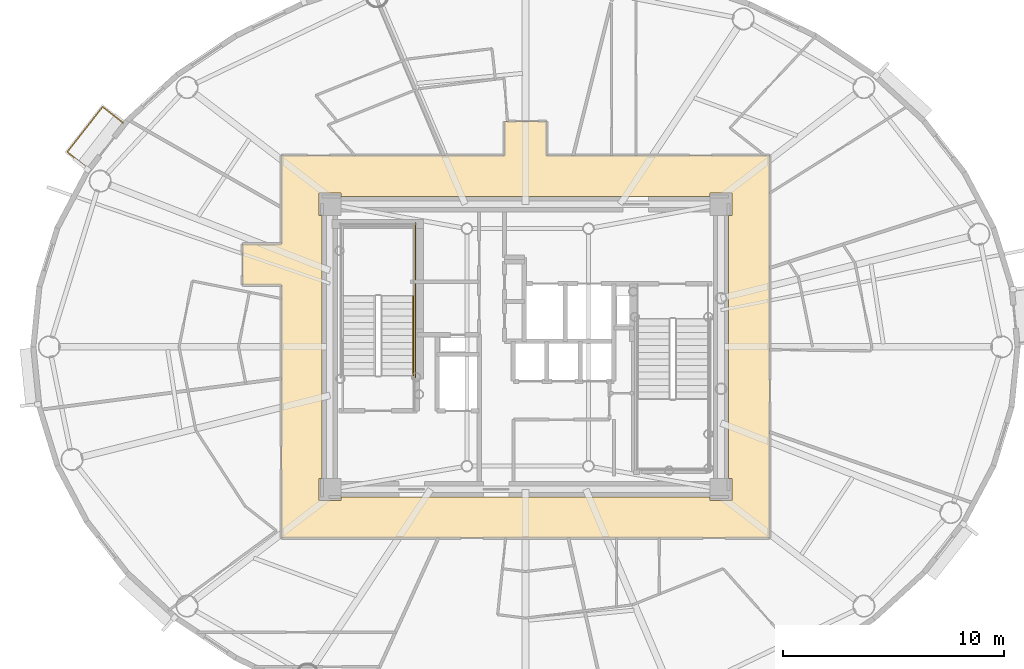
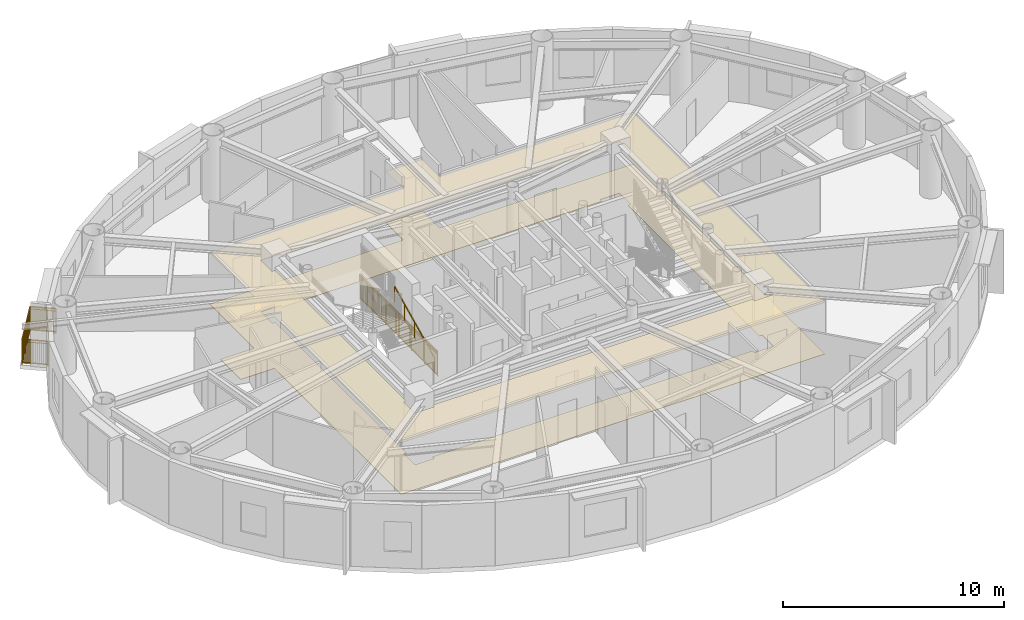
# One storey, part 15 of 17: 3 railings, 2 coverings.
"""IFC4 building model written with IfcOpenShell, lengths in metres."""

from ifc_helpers import new_model, si_unit, direction, frame, origin, origin_2d, place, context, subcontext, project, spatial, polyline, rectangle, outline, extrude, source, transform, mapped, material, layer, layer_set, type_object, element, save


model = new_model("IFC4")

# Units and contexts
model_context = context("Model", 3, precision=1e-05, world=origin(), true_north=direction((0.0, 1.0)))
body_context = subcontext(model_context, "Body", "Model", "MODEL_VIEW")
ifc_project = project(units=[si_unit("LENGTHUNIT", "METRE"), si_unit("AREAUNIT", "SQUARE_METRE"), si_unit("VOLUMEUNIT", "CUBIC_METRE"), si_unit("PLANEANGLEUNIT", "RADIAN"), si_unit("MASSUNIT", "GRAM", prefix="KILO")], contexts=[model_context])

# Site, building, storey
site_placement = place(None, origin())
site = spatial("IfcSite", under=ifc_project, at=site_placement, CompositionType="ELEMENT")
building_placement = place(site_placement, origin())
building = spatial("IfcBuilding", under=site, at=building_placement, Name="Linh Dai School and Residence Tower", CompositionType="ELEMENT")
storey_placement = place(building_placement, frame((0.0, 0.0, 299.25)))
storey = spatial("IfcBuildingStorey", under=building, at=storey_placement, Name="L74", CompositionType="ELEMENT", Elevation=299.25)

# Coverings
ifc_material_1 = material(Name="Mineral Fibre Acoustic Suspended Ceiling", Category="masonry")
ifc_layer_1 = layer(ifc_material_1, 0.02001953125)
ifc_layer_set_1 = layer_set([ifc_layer_1], Name="Mineral Fibre Acoustic Suspended Ceiling")
covering_type_1 = type_object("IfcCoveringType", Name="COV-CEIL-AC-20", PredefinedType="CEILING", material=ifc_layer_set_1)
covering_1_placement = place(storey_placement, frame((0.0, 0.0, 2.85009765625)))
element("IfcCovering", 1, at=covering_1_placement, inside=storey, type_object=covering_type_1, Name="L74 Residential Floor Corridor Suspended Ceiling", PredefinedType="CEILING", context=body_context, shape_type="SweptSolid", body=[
    extrude(outline(polyline([(23.199951171875, 31.64990234375), (24.949951171875, 31.64990234375), (24.949951171875, 35.64990234375), (35.050048828125, 35.64990234375), (35.050048828125, 37.199951171875), (36.949951171875, 37.199951171875), (36.949951171875, 35.64990234375), (47.050048828125, 35.64990234375), (47.050048828125, 18.35009765625), (24.949951171875, 18.35009765625), (24.949951171875, 29.800048828125), (23.199951171875, 29.800048828125), (23.199951171875, 31.64990234375)]), holes=[polyline([(27.64990234375, 33.800048828125), (27.64990234375, 33.949951171875), (26.64990234375, 33.949951171875), (26.64990234375, 32.949951171875), (26.800048828125, 32.949951171875), (26.800048828125, 21.050048828125), (26.64990234375, 21.050048828125), (26.64990234375, 20.050048828125), (27.64990234375, 20.050048828125), (27.64990234375, 20.199951171875), (44.35009765625, 20.199951171875), (44.35009765625, 20.050048828125), (45.35009765625, 20.050048828125), (45.35009765625, 21.050048828125), (45.199951171875, 21.050048828125), (45.199951171875, 32.949951171875), (45.35009765625, 32.949951171875), (45.35009765625, 33.949951171875), (44.35009765625, 33.949951171875), (44.35009765625, 33.800048828125), (27.64990234375, 33.800048828125)])]), origin(), (0.0, 0.0, 1.0), 0.02001953125),
])
ifc_material_2 = material(Name="Polished Terrazzo Floor Finish", Category="masonry")
ifc_layer_2 = layer(ifc_material_2, 0.02490234375)
ifc_layer_set_2 = layer_set([ifc_layer_2], Name="Polished Terrazzo Floor Finish")
covering_type_2 = type_object("IfcCoveringType", Name="COV-FLR-TRZ-25", PredefinedType="FLOORING", material=ifc_layer_set_2)
covering_2_placement = place(storey_placement, origin())
element("IfcCovering", 2, at=covering_2_placement, inside=storey, type_object=covering_type_2, Name="L74 Residential Floor Corridor Floor Finish", PredefinedType="FLOORING", context=body_context, shape_type="SweptSolid", body=[
    extrude(outline(polyline([(23.199951171875, 31.64990234375), (24.949951171875, 31.64990234375), (24.949951171875, 35.64990234375), (35.050048828125, 35.64990234375), (35.050048828125, 37.199951171875), (36.949951171875, 37.199951171875), (36.949951171875, 35.64990234375), (47.050048828125, 35.64990234375), (47.050048828125, 18.35009765625), (24.949951171875, 18.35009765625), (24.949951171875, 29.800048828125), (23.199951171875, 29.800048828125), (23.199951171875, 31.64990234375)]), holes=[polyline([(27.64990234375, 33.800048828125), (27.64990234375, 33.949951171875), (26.64990234375, 33.949951171875), (26.64990234375, 32.949951171875), (26.800048828125, 32.949951171875), (26.800048828125, 21.050048828125), (26.64990234375, 21.050048828125), (26.64990234375, 20.050048828125), (27.64990234375, 20.050048828125), (27.64990234375, 20.199951171875), (44.35009765625, 20.199951171875), (44.35009765625, 20.050048828125), (45.35009765625, 20.050048828125), (45.35009765625, 21.050048828125), (45.199951171875, 21.050048828125), (45.199951171875, 32.949951171875), (45.35009765625, 32.949951171875), (45.35009765625, 33.949951171875), (44.35009765625, 33.949951171875), (44.35009765625, 33.800048828125), (27.64990234375, 33.800048828125)])]), origin(), (0.0, 0.0, 1.0), 0.02001953125),
])

# Railings
ifc_material_3 = material(Name="Structural Steel S355JR", Category="steel")
railing_type_1 = type_object("IfcRailingType", Name="RL-BAL-1400", PredefinedType="BALUSTRADE", material=ifc_material_3)
shared_shape_1 = source(origin(), body_context, "Body", "SweptSolid", [
    extrude(rectangle(XDim=0.048095703125, YDim=0.048095703125, at=origin_2d()), frame((0.0, 0.0, 1.3759765625), z_axis=(-0.787465705171, 0.616358469707, 0.0), x_axis=(-0.616358469707, -0.787465705171, 0.0)), (0.0, 0.0, 1.0), 1.179931640625),
    extrude(rectangle(XDim=0.048095703125, YDim=0.048095703125, at=origin_2d()), frame((0.0, 0.0, 0.10009765625), z_axis=(-0.787465705171, 0.616358469707, 0.0), x_axis=(-0.616358469707, -0.787465705171, 0.0)), (0.0, 0.0, 1.0), 1.179931640625),
    extrude(rectangle(XDim=0.030029296875, YDim=0.030029296875, at=origin_2d()), frame((0.0, 0.0, 1.239990234375), z_axis=(-0.787465705171, 0.616358469707, 0.0), x_axis=(-0.616358469707, -0.787465705171, 0.0)), (0.0, 0.0, 1.0), 1.179931640625),
    extrude(rectangle(XDim=0.02001953125, YDim=0.02001953125, at=origin_2d()), frame((-0.071533203125, 0.055908203125, 0.10009765625)), (0.0, 0.0, 1.0), 1.251708984375),
    extrude(rectangle(XDim=0.02001953125, YDim=0.02001953125, at=origin_2d()), frame((-0.14306640625, 0.11181640625, 0.10009765625)), (0.0, 0.0, 1.0), 1.251708984375),
    extrude(rectangle(XDim=0.02001953125, YDim=0.02001953125, at=origin_2d()), frame((-0.21435546875, 0.167724609375, 0.10009765625)), (0.0, 0.0, 1.0), 1.251708984375),
    extrude(rectangle(XDim=0.02001953125, YDim=0.02001953125, at=origin_2d()), frame((-0.285888671875, 0.223876953125, 0.10009765625)), (0.0, 0.0, 1.0), 1.251708984375),
    extrude(rectangle(XDim=0.02001953125, YDim=0.02001953125, at=origin_2d()), frame((-0.357421875, 0.27978515625, 0.10009765625)), (0.0, 0.0, 1.0), 1.251708984375),
    extrude(rectangle(XDim=0.02001953125, YDim=0.02001953125, at=origin_2d()), frame((-0.428955078125, 0.335693359375, 0.10009765625)), (0.0, 0.0, 1.0), 1.251708984375),
    extrude(rectangle(XDim=0.02001953125, YDim=0.02001953125, at=origin_2d()), frame((-0.500244140625, 0.3916015625, 0.10009765625)), (0.0, 0.0, 1.0), 1.251708984375),
    extrude(rectangle(XDim=0.02001953125, YDim=0.02001953125, at=origin_2d()), frame((-0.57177734375, 0.447509765625, 0.10009765625)), (0.0, 0.0, 1.0), 1.251708984375),
    extrude(rectangle(XDim=0.02001953125, YDim=0.02001953125, at=origin_2d()), frame((-0.643310546875, 0.50341796875, 0.10009765625)), (0.0, 0.0, 1.0), 1.251708984375),
    extrude(rectangle(XDim=0.02001953125, YDim=0.02001953125, at=origin_2d()), frame((-0.71484375, 0.5595703125, 0.10009765625)), (0.0, 0.0, 1.0), 1.251708984375),
    extrude(rectangle(XDim=0.02001953125, YDim=0.02001953125, at=origin_2d()), frame((-0.7861328125, 0.615478515625, 0.10009765625)), (0.0, 0.0, 1.0), 1.251708984375),
    extrude(rectangle(XDim=0.02001953125, YDim=0.02001953125, at=origin_2d()), frame((-0.857666015625, 0.67138671875, 0.10009765625)), (0.0, 0.0, 1.0), 1.251708984375),
    extrude(rectangle(XDim=0.048095703125, YDim=0.048095703125, at=origin_2d()), frame((-0.92919921875, 0.727294921875, 1.3759765625), z_axis=(0.616318394655, 0.787497070731, 0.0), x_axis=(-0.787497070731, 0.616318394655, 0.0)), (0.0, 0.0, 1.0), 2.5986328125),
    extrude(rectangle(XDim=0.048095703125, YDim=0.048095703125, at=origin_2d()), frame((-0.92919921875, 0.727294921875, 0.10009765625), z_axis=(0.616318394655, 0.787497070731, 0.0), x_axis=(-0.787497070731, 0.616318394655, 0.0)), (0.0, 0.0, 1.0), 2.5986328125),
    extrude(rectangle(XDim=0.030029296875, YDim=0.030029296875, at=origin_2d()), frame((-0.92919921875, 0.727294921875, 1.239990234375), z_axis=(0.616318394655, 0.787497070731, 0.0), x_axis=(-0.787497070731, 0.616318394655, 0.0)), (0.0, 0.0, 1.0), 2.5986328125),
    extrude(rectangle(XDim=0.02001953125, YDim=0.02001953125, at=origin_2d()), frame((-0.869873046875, 0.802978515625, 0.10009765625)), (0.0, 0.0, 1.0), 1.251708984375),
    extrude(rectangle(XDim=0.02001953125, YDim=0.02001953125, at=origin_2d()), frame((-0.810546875, 0.87890625, 0.10009765625)), (0.0, 0.0, 1.0), 1.251708984375),
    extrude(rectangle(XDim=0.02001953125, YDim=0.02001953125, at=origin_2d()), frame((-0.751220703125, 0.95458984375, 0.10009765625)), (0.0, 0.0, 1.0), 1.251708984375),
    extrude(rectangle(XDim=0.02001953125, YDim=0.02001953125, at=origin_2d()), frame((-0.69189453125, 1.030517578125, 0.10009765625)), (0.0, 0.0, 1.0), 1.251708984375),
    extrude(rectangle(XDim=0.02001953125, YDim=0.02001953125, at=origin_2d()), frame((-0.632568359375, 1.106201171875, 0.10009765625)), (0.0, 0.0, 1.0), 1.251708984375),
    extrude(rectangle(XDim=0.02001953125, YDim=0.02001953125, at=origin_2d()), frame((-0.5732421875, 1.18212890625, 0.10009765625)), (0.0, 0.0, 1.0), 1.251708984375),
    extrude(rectangle(XDim=0.02001953125, YDim=0.02001953125, at=origin_2d()), frame((-0.513916015625, 1.2578125, 0.10009765625)), (0.0, 0.0, 1.0), 1.251708984375),
    extrude(rectangle(XDim=0.02001953125, YDim=0.02001953125, at=origin_2d()), frame((-0.45458984375, 1.333740234375, 0.10009765625)), (0.0, 0.0, 1.0), 1.251708984375),
    extrude(rectangle(XDim=0.02001953125, YDim=0.02001953125, at=origin_2d()), frame((-0.3359375, 1.485107421875, 0.10009765625)), (0.0, 0.0, 1.0), 1.251708984375),
    extrude(rectangle(XDim=0.02001953125, YDim=0.02001953125, at=origin_2d()), frame((-0.276611328125, 1.56103515625, 0.10009765625)), (0.0, 0.0, 1.0), 1.251708984375),
    extrude(rectangle(XDim=0.02001953125, YDim=0.02001953125, at=origin_2d()), frame((-0.21728515625, 1.63671875, 0.10009765625)), (0.0, 0.0, 1.0), 1.251708984375),
    extrude(rectangle(XDim=0.02001953125, YDim=0.02001953125, at=origin_2d()), frame((-0.157958984375, 1.712646484375, 0.10009765625)), (0.0, 0.0, 1.0), 1.251708984375),
    extrude(rectangle(XDim=0.02001953125, YDim=0.02001953125, at=origin_2d()), frame((-0.098876953125, 1.788330078125, 0.10009765625)), (0.0, 0.0, 1.0), 1.251708984375),
    extrude(rectangle(XDim=0.02001953125, YDim=0.02001953125, at=origin_2d()), frame((-0.03955078125, 1.8642578125, 0.10009765625)), (0.0, 0.0, 1.0), 1.251708984375),
    extrude(rectangle(XDim=0.02001953125, YDim=0.02001953125, at=origin_2d()), frame((0.019775390625, 1.93994140625, 0.10009765625)), (0.0, 0.0, 1.0), 1.251708984375),
    extrude(rectangle(XDim=0.02001953125, YDim=0.02001953125, at=origin_2d()), frame((0.0791015625, 2.015869140625, 0.10009765625)), (0.0, 0.0, 1.0), 1.251708984375),
    extrude(rectangle(XDim=0.02001953125, YDim=0.02001953125, at=origin_2d()), frame((0.19775390625, 2.167236328125, 0.10009765625)), (0.0, 0.0, 1.0), 1.251708984375),
    extrude(rectangle(XDim=0.02001953125, YDim=0.02001953125, at=origin_2d()), frame((0.257080078125, 2.2431640625, 0.10009765625)), (0.0, 0.0, 1.0), 1.251708984375),
    extrude(rectangle(XDim=0.02001953125, YDim=0.02001953125, at=origin_2d()), frame((0.31640625, 2.31884765625, 0.10009765625)), (0.0, 0.0, 1.0), 1.251708984375),
    extrude(rectangle(XDim=0.02001953125, YDim=0.02001953125, at=origin_2d()), frame((0.375732421875, 2.394775390625, 0.10009765625)), (0.0, 0.0, 1.0), 1.251708984375),
    extrude(rectangle(XDim=0.02001953125, YDim=0.02001953125, at=origin_2d()), frame((0.43505859375, 2.470458984375, 0.10009765625)), (0.0, 0.0, 1.0), 1.251708984375),
    extrude(rectangle(XDim=0.02001953125, YDim=0.02001953125, at=origin_2d()), frame((0.494384765625, 2.54638671875, 0.10009765625)), (0.0, 0.0, 1.0), 1.251708984375),
    extrude(rectangle(XDim=0.02001953125, YDim=0.02001953125, at=origin_2d()), frame((0.5537109375, 2.6220703125, 0.10009765625)), (0.0, 0.0, 1.0), 1.251708984375),
    extrude(rectangle(XDim=0.02001953125, YDim=0.02001953125, at=origin_2d()), frame((0.613037109375, 2.697998046875, 0.10009765625)), (0.0, 0.0, 1.0), 1.251708984375),
    extrude(rectangle(XDim=0.048095703125, YDim=0.048095703125, at=origin_2d()), frame((0.67236328125, 2.773681640625, 1.3759765625), z_axis=(0.787465705171, -0.616358469707, 0.0), x_axis=(0.616358469707, 0.787465705171, 0.0)), (0.0, 0.0, 1.0), 1.179931640625),
    extrude(rectangle(XDim=0.048095703125, YDim=0.048095703125, at=origin_2d()), frame((0.67236328125, 2.773681640625, 0.10009765625), z_axis=(0.787465705171, -0.616358469707, 0.0), x_axis=(0.616358469707, 0.787465705171, 0.0)), (0.0, 0.0, 1.0), 1.179931640625),
    extrude(rectangle(XDim=0.030029296875, YDim=0.030029296875, at=origin_2d()), frame((0.67236328125, 2.773681640625, 1.239990234375), z_axis=(0.787465705171, -0.616358469707, 0.0), x_axis=(0.616358469707, 0.787465705171, 0.0)), (0.0, 0.0, 1.0), 1.179931640625),
    extrude(rectangle(XDim=0.02001953125, YDim=0.02001953125, at=origin_2d()), frame((0.743896484375, 2.7177734375, 0.10009765625)), (0.0, 0.0, 1.0), 1.251708984375),
    extrude(rectangle(XDim=0.02001953125, YDim=0.02001953125, at=origin_2d()), frame((0.8154296875, 2.661865234375, 0.10009765625)), (0.0, 0.0, 1.0), 1.251708984375),
    extrude(rectangle(XDim=0.02001953125, YDim=0.02001953125, at=origin_2d()), frame((0.88671875, 2.60595703125, 0.10009765625)), (0.0, 0.0, 1.0), 1.251708984375),
    extrude(rectangle(XDim=0.02001953125, YDim=0.02001953125, at=origin_2d()), frame((0.958251953125, 2.5498046875, 0.10009765625)), (0.0, 0.0, 1.0), 1.251708984375),
    extrude(rectangle(XDim=0.02001953125, YDim=0.02001953125, at=origin_2d()), frame((1.02978515625, 2.493896484375, 0.10009765625)), (0.0, 0.0, 1.0), 1.251708984375),
    extrude(rectangle(XDim=0.02001953125, YDim=0.02001953125, at=origin_2d()), frame((1.101318359375, 2.43798828125, 0.10009765625)), (0.0, 0.0, 1.0), 1.251708984375),
    extrude(rectangle(XDim=0.02001953125, YDim=0.02001953125, at=origin_2d()), frame((1.172607421875, 2.382080078125, 0.10009765625)), (0.0, 0.0, 1.0), 1.251708984375),
    extrude(rectangle(XDim=0.02001953125, YDim=0.02001953125, at=origin_2d()), frame((1.244140625, 2.326171875, 0.10009765625)), (0.0, 0.0, 1.0), 1.251708984375),
    extrude(rectangle(XDim=0.02001953125, YDim=0.02001953125, at=origin_2d()), frame((1.315673828125, 2.270263671875, 0.10009765625)), (0.0, 0.0, 1.0), 1.251708984375),
    extrude(rectangle(XDim=0.02001953125, YDim=0.02001953125, at=origin_2d()), frame((1.38720703125, 2.214111328125, 0.10009765625)), (0.0, 0.0, 1.0), 1.251708984375),
    extrude(rectangle(XDim=0.02001953125, YDim=0.02001953125, at=origin_2d()), frame((1.45849609375, 2.158203125, 0.10009765625)), (0.0, 0.0, 1.0), 1.251708984375),
    extrude(rectangle(XDim=0.02001953125, YDim=0.02001953125, at=origin_2d()), frame((1.530029296875, 2.102294921875, 0.10009765625)), (0.0, 0.0, 1.0), 1.251708984375),
    extrude(rectangle(XDim=0.0419921875, YDim=0.0419921875, at=origin_2d()), origin(), (0.0, 0.0, 1.0), 1.3759765625),
    extrude(rectangle(XDim=0.0419921875, YDim=0.0419921875, at=origin_2d()), frame((-0.92919921875, 0.727294921875, 0.0)), (0.0, 0.0, 1.0), 1.3759765625),
    extrude(rectangle(XDim=0.0419921875, YDim=0.0419921875, at=origin_2d()), frame((-0.395263671875, 1.409423828125, 0.0)), (0.0, 0.0, 1.0), 1.3759765625),
    extrude(rectangle(XDim=0.0419921875, YDim=0.0419921875, at=origin_2d()), frame((0.138427734375, 2.091552734375, 0.0)), (0.0, 0.0, 1.0), 1.3759765625),
    extrude(rectangle(XDim=0.0419921875, YDim=0.0419921875, at=origin_2d()), frame((0.67236328125, 2.773681640625, 0.0)), (0.0, 0.0, 1.0), 1.3759765625),
    extrude(rectangle(XDim=0.0419921875, YDim=0.0419921875, at=origin_2d()), frame((1.6015625, 2.04638671875, 0.0)), (0.0, 0.0, 1.0), 1.3759765625),
])
railing_1_placement = place(storey_placement, frame((16.190185546875, 35.0888671875, 0.0)))
element("IfcRailing", 3, at=railing_1_placement, inside=storey, type_object=railing_type_1, Name="L74 Balcony Safety Balustrade 17", PredefinedType="BALUSTRADE", context=body_context, shape_type="MappedRepresentation", body=[
    mapped(shared_shape_1, transform((0.0, 0.0, 0.0), x_axis=(1.0, 0.0, 0.0), y_axis=(0.0, 1.0, 0.0), z_axis=(0.0, 0.0, 1.0), scale=1.0)),
])
railing_type_2 = type_object("IfcRailingType", Name="RL-ST-GUARD-1400", PredefinedType="GUARDRAIL", material=ifc_material_3)
shared_shape_2 = source(origin(), body_context, "Body", "SweptSolid", [
    extrude(rectangle(XDim=0.048095703125, YDim=0.048095703125, at=origin_2d()), frame((0.0, 0.0, 1.3759765625), z_axis=(0.0, 1.0, 0.0), x_axis=(-1.0, 0.0, 0.0)), (0.0, 0.0, 1.0), 7.0),
    extrude(rectangle(XDim=0.048095703125, YDim=0.048095703125, at=origin_2d()), frame((0.0, 0.0, 0.10009765625), z_axis=(0.0, 1.0, 0.0), x_axis=(-1.0, 0.0, 0.0)), (0.0, 0.0, 1.0), 7.0),
    extrude(rectangle(XDim=0.030029296875, YDim=0.030029296875, at=origin_2d()), frame((0.0, 0.0, 1.239990234375), z_axis=(0.0, 1.0, 0.0), x_axis=(-1.0, 0.0, 0.0)), (0.0, 0.0, 1.0), 7.0),
    extrude(rectangle(XDim=0.02001953125, YDim=0.02001953125, at=origin_2d()), frame((0.0, 0.09716796875, 0.10009765625)), (0.0, 0.0, 1.0), 1.251708984375),
    extrude(rectangle(XDim=0.02001953125, YDim=0.02001953125, at=origin_2d()), frame((0.0, 0.1943359375, 0.10009765625)), (0.0, 0.0, 1.0), 1.251708984375),
    extrude(rectangle(XDim=0.02001953125, YDim=0.02001953125, at=origin_2d()), frame((0.0, 0.291748046875, 0.10009765625)), (0.0, 0.0, 1.0), 1.251708984375),
    extrude(rectangle(XDim=0.02001953125, YDim=0.02001953125, at=origin_2d()), frame((0.0, 0.388916015625, 0.10009765625)), (0.0, 0.0, 1.0), 1.251708984375),
    extrude(rectangle(XDim=0.02001953125, YDim=0.02001953125, at=origin_2d()), frame((0.0, 0.486083984375, 0.10009765625)), (0.0, 0.0, 1.0), 1.251708984375),
    extrude(rectangle(XDim=0.02001953125, YDim=0.02001953125, at=origin_2d()), frame((0.0, 0.583251953125, 0.10009765625)), (0.0, 0.0, 1.0), 1.251708984375),
    extrude(rectangle(XDim=0.02001953125, YDim=0.02001953125, at=origin_2d()), frame((0.0, 0.6806640625, 0.10009765625)), (0.0, 0.0, 1.0), 1.251708984375),
    extrude(rectangle(XDim=0.02001953125, YDim=0.02001953125, at=origin_2d()), frame((0.0, 0.77783203125, 0.10009765625)), (0.0, 0.0, 1.0), 1.251708984375),
    extrude(rectangle(XDim=0.02001953125, YDim=0.02001953125, at=origin_2d()), frame((0.0, 0.875, 0.10009765625)), (0.0, 0.0, 1.0), 1.251708984375),
    extrude(rectangle(XDim=0.02001953125, YDim=0.02001953125, at=origin_2d()), frame((0.0, 0.97216796875, 0.10009765625)), (0.0, 0.0, 1.0), 1.251708984375),
    extrude(rectangle(XDim=0.02001953125, YDim=0.02001953125, at=origin_2d()), frame((0.0, 1.0693359375, 0.10009765625)), (0.0, 0.0, 1.0), 1.251708984375),
    extrude(rectangle(XDim=0.02001953125, YDim=0.02001953125, at=origin_2d()), frame((0.0, 1.263916015625, 0.10009765625)), (0.0, 0.0, 1.0), 1.251708984375),
    extrude(rectangle(XDim=0.02001953125, YDim=0.02001953125, at=origin_2d()), frame((0.0, 1.361083984375, 0.10009765625)), (0.0, 0.0, 1.0), 1.251708984375),
    extrude(rectangle(XDim=0.02001953125, YDim=0.02001953125, at=origin_2d()), frame((0.0, 1.458251953125, 0.10009765625)), (0.0, 0.0, 1.0), 1.251708984375),
    extrude(rectangle(XDim=0.02001953125, YDim=0.02001953125, at=origin_2d()), frame((0.0, 1.5556640625, 0.10009765625)), (0.0, 0.0, 1.0), 1.251708984375),
    extrude(rectangle(XDim=0.02001953125, YDim=0.02001953125, at=origin_2d()), frame((0.0, 1.65283203125, 0.10009765625)), (0.0, 0.0, 1.0), 1.251708984375),
    extrude(rectangle(XDim=0.02001953125, YDim=0.02001953125, at=origin_2d()), frame((0.0, 1.75, 0.10009765625)), (0.0, 0.0, 1.0), 1.251708984375),
    extrude(rectangle(XDim=0.02001953125, YDim=0.02001953125, at=origin_2d()), frame((0.0, 1.84716796875, 0.10009765625)), (0.0, 0.0, 1.0), 1.251708984375),
    extrude(rectangle(XDim=0.02001953125, YDim=0.02001953125, at=origin_2d()), frame((0.0, 1.9443359375, 0.10009765625)), (0.0, 0.0, 1.0), 1.251708984375),
    extrude(rectangle(XDim=0.02001953125, YDim=0.02001953125, at=origin_2d()), frame((0.0, 2.041748046875, 0.10009765625)), (0.0, 0.0, 1.0), 1.251708984375),
    extrude(rectangle(XDim=0.02001953125, YDim=0.02001953125, at=origin_2d()), frame((0.0, 2.138916015625, 0.10009765625)), (0.0, 0.0, 1.0), 1.251708984375),
    extrude(rectangle(XDim=0.02001953125, YDim=0.02001953125, at=origin_2d()), frame((0.0, 2.236083984375, 0.10009765625)), (0.0, 0.0, 1.0), 1.251708984375),
    extrude(rectangle(XDim=0.02001953125, YDim=0.02001953125, at=origin_2d()), frame((0.0, 2.4306640625, 0.10009765625)), (0.0, 0.0, 1.0), 1.251708984375),
    extrude(rectangle(XDim=0.02001953125, YDim=0.02001953125, at=origin_2d()), frame((0.0, 2.52783203125, 0.10009765625)), (0.0, 0.0, 1.0), 1.251708984375),
    extrude(rectangle(XDim=0.02001953125, YDim=0.02001953125, at=origin_2d()), frame((0.0, 2.625, 0.10009765625)), (0.0, 0.0, 1.0), 1.251708984375),
    extrude(rectangle(XDim=0.02001953125, YDim=0.02001953125, at=origin_2d()), frame((0.0, 2.72216796875, 0.10009765625)), (0.0, 0.0, 1.0), 1.251708984375),
    extrude(rectangle(XDim=0.02001953125, YDim=0.02001953125, at=origin_2d()), frame((0.0, 2.8193359375, 0.10009765625)), (0.0, 0.0, 1.0), 1.251708984375),
    extrude(rectangle(XDim=0.02001953125, YDim=0.02001953125, at=origin_2d()), frame((0.0, 2.916748046875, 0.10009765625)), (0.0, 0.0, 1.0), 1.251708984375),
    extrude(rectangle(XDim=0.02001953125, YDim=0.02001953125, at=origin_2d()), frame((0.0, 3.013916015625, 0.10009765625)), (0.0, 0.0, 1.0), 1.251708984375),
    extrude(rectangle(XDim=0.02001953125, YDim=0.02001953125, at=origin_2d()), frame((0.0, 3.111083984375, 0.10009765625)), (0.0, 0.0, 1.0), 1.251708984375),
    extrude(rectangle(XDim=0.02001953125, YDim=0.02001953125, at=origin_2d()), frame((0.0, 3.208251953125, 0.10009765625)), (0.0, 0.0, 1.0), 1.251708984375),
    extrude(rectangle(XDim=0.02001953125, YDim=0.02001953125, at=origin_2d()), frame((0.0, 3.3056640625, 0.10009765625)), (0.0, 0.0, 1.0), 1.251708984375),
    extrude(rectangle(XDim=0.02001953125, YDim=0.02001953125, at=origin_2d()), frame((0.0, 3.40283203125, 0.10009765625)), (0.0, 0.0, 1.0), 1.251708984375),
    extrude(rectangle(XDim=0.02001953125, YDim=0.02001953125, at=origin_2d()), frame((0.0, 3.59716796875, 0.10009765625)), (0.0, 0.0, 1.0), 1.251708984375),
    extrude(rectangle(XDim=0.02001953125, YDim=0.02001953125, at=origin_2d()), frame((0.0, 3.6943359375, 0.10009765625)), (0.0, 0.0, 1.0), 1.251708984375),
    extrude(rectangle(XDim=0.02001953125, YDim=0.02001953125, at=origin_2d()), frame((0.0, 3.791748046875, 0.10009765625)), (0.0, 0.0, 1.0), 1.251708984375),
    extrude(rectangle(XDim=0.02001953125, YDim=0.02001953125, at=origin_2d()), frame((0.0, 3.888916015625, 0.10009765625)), (0.0, 0.0, 1.0), 1.251708984375),
    extrude(rectangle(XDim=0.02001953125, YDim=0.02001953125, at=origin_2d()), frame((0.0, 3.986083984375, 0.10009765625)), (0.0, 0.0, 1.0), 1.251708984375),
    extrude(rectangle(XDim=0.02001953125, YDim=0.02001953125, at=origin_2d()), frame((0.0, 4.083251953125, 0.10009765625)), (0.0, 0.0, 1.0), 1.251708984375),
    extrude(rectangle(XDim=0.02001953125, YDim=0.02001953125, at=origin_2d()), frame((0.0, 4.1806640625, 0.10009765625)), (0.0, 0.0, 1.0), 1.251708984375),
    extrude(rectangle(XDim=0.02001953125, YDim=0.02001953125, at=origin_2d()), frame((0.0, 4.27783203125, 0.10009765625)), (0.0, 0.0, 1.0), 1.251708984375),
    extrude(rectangle(XDim=0.02001953125, YDim=0.02001953125, at=origin_2d()), frame((0.0, 4.375, 0.10009765625)), (0.0, 0.0, 1.0), 1.251708984375),
    extrude(rectangle(XDim=0.02001953125, YDim=0.02001953125, at=origin_2d()), frame((0.0, 4.47216796875, 0.10009765625)), (0.0, 0.0, 1.0), 1.251708984375),
    extrude(rectangle(XDim=0.02001953125, YDim=0.02001953125, at=origin_2d()), frame((0.0, 4.5693359375, 0.10009765625)), (0.0, 0.0, 1.0), 1.251708984375),
    extrude(rectangle(XDim=0.02001953125, YDim=0.02001953125, at=origin_2d()), frame((0.0, 4.763916015625, 0.10009765625)), (0.0, 0.0, 1.0), 1.251708984375),
    extrude(rectangle(XDim=0.02001953125, YDim=0.02001953125, at=origin_2d()), frame((0.0, 4.861083984375, 0.10009765625)), (0.0, 0.0, 1.0), 1.251708984375),
    extrude(rectangle(XDim=0.02001953125, YDim=0.02001953125, at=origin_2d()), frame((0.0, 4.958251953125, 0.10009765625)), (0.0, 0.0, 1.0), 1.251708984375),
    extrude(rectangle(XDim=0.02001953125, YDim=0.02001953125, at=origin_2d()), frame((0.0, 5.0556640625, 0.10009765625)), (0.0, 0.0, 1.0), 1.251708984375),
    extrude(rectangle(XDim=0.02001953125, YDim=0.02001953125, at=origin_2d()), frame((0.0, 5.15283203125, 0.10009765625)), (0.0, 0.0, 1.0), 1.251708984375),
    extrude(rectangle(XDim=0.02001953125, YDim=0.02001953125, at=origin_2d()), frame((0.0, 5.25, 0.10009765625)), (0.0, 0.0, 1.0), 1.251708984375),
    extrude(rectangle(XDim=0.02001953125, YDim=0.02001953125, at=origin_2d()), frame((0.0, 5.34716796875, 0.10009765625)), (0.0, 0.0, 1.0), 1.251708984375),
    extrude(rectangle(XDim=0.02001953125, YDim=0.02001953125, at=origin_2d()), frame((0.0, 5.4443359375, 0.10009765625)), (0.0, 0.0, 1.0), 1.251708984375),
    extrude(rectangle(XDim=0.02001953125, YDim=0.02001953125, at=origin_2d()), frame((0.0, 5.541748046875, 0.10009765625)), (0.0, 0.0, 1.0), 1.251708984375),
    extrude(rectangle(XDim=0.02001953125, YDim=0.02001953125, at=origin_2d()), frame((0.0, 5.638916015625, 0.10009765625)), (0.0, 0.0, 1.0), 1.251708984375),
    extrude(rectangle(XDim=0.02001953125, YDim=0.02001953125, at=origin_2d()), frame((0.0, 5.736083984375, 0.10009765625)), (0.0, 0.0, 1.0), 1.251708984375),
    extrude(rectangle(XDim=0.02001953125, YDim=0.02001953125, at=origin_2d()), frame((0.0, 5.9306640625, 0.10009765625)), (0.0, 0.0, 1.0), 1.251708984375),
    extrude(rectangle(XDim=0.02001953125, YDim=0.02001953125, at=origin_2d()), frame((0.0, 6.02783203125, 0.10009765625)), (0.0, 0.0, 1.0), 1.251708984375),
    extrude(rectangle(XDim=0.02001953125, YDim=0.02001953125, at=origin_2d()), frame((0.0, 6.125, 0.10009765625)), (0.0, 0.0, 1.0), 1.251708984375),
    extrude(rectangle(XDim=0.02001953125, YDim=0.02001953125, at=origin_2d()), frame((0.0, 6.22216796875, 0.10009765625)), (0.0, 0.0, 1.0), 1.251708984375),
    extrude(rectangle(XDim=0.02001953125, YDim=0.02001953125, at=origin_2d()), frame((0.0, 6.3193359375, 0.10009765625)), (0.0, 0.0, 1.0), 1.251708984375),
    extrude(rectangle(XDim=0.02001953125, YDim=0.02001953125, at=origin_2d()), frame((0.0, 6.416748046875, 0.10009765625)), (0.0, 0.0, 1.0), 1.251708984375),
    extrude(rectangle(XDim=0.02001953125, YDim=0.02001953125, at=origin_2d()), frame((0.0, 6.513916015625, 0.10009765625)), (0.0, 0.0, 1.0), 1.251708984375),
    extrude(rectangle(XDim=0.02001953125, YDim=0.02001953125, at=origin_2d()), frame((0.0, 6.611083984375, 0.10009765625)), (0.0, 0.0, 1.0), 1.251708984375),
    extrude(rectangle(XDim=0.02001953125, YDim=0.02001953125, at=origin_2d()), frame((0.0, 6.708251953125, 0.10009765625)), (0.0, 0.0, 1.0), 1.251708984375),
    extrude(rectangle(XDim=0.02001953125, YDim=0.02001953125, at=origin_2d()), frame((0.0, 6.8056640625, 0.10009765625)), (0.0, 0.0, 1.0), 1.251708984375),
    extrude(rectangle(XDim=0.02001953125, YDim=0.02001953125, at=origin_2d()), frame((0.0, 6.90283203125, 0.10009765625)), (0.0, 0.0, 1.0), 1.251708984375),
    extrude(rectangle(XDim=0.0419921875, YDim=0.0419921875, at=origin_2d()), origin(), (0.0, 0.0, 1.0), 1.3759765625),
    extrude(rectangle(XDim=0.0419921875, YDim=0.0419921875, at=origin_2d()), frame((0.0, 1.166748046875, 0.0)), (0.0, 0.0, 1.0), 1.3759765625),
    extrude(rectangle(XDim=0.0419921875, YDim=0.0419921875, at=origin_2d()), frame((0.0, 2.333251953125, 0.0)), (0.0, 0.0, 1.0), 1.3759765625),
    extrude(rectangle(XDim=0.0419921875, YDim=0.0419921875, at=origin_2d()), frame((0.0, 3.5, 0.0)), (0.0, 0.0, 1.0), 1.3759765625),
    extrude(rectangle(XDim=0.0419921875, YDim=0.0419921875, at=origin_2d()), frame((0.0, 4.666748046875, 0.0)), (0.0, 0.0, 1.0), 1.3759765625),
    extrude(rectangle(XDim=0.0419921875, YDim=0.0419921875, at=origin_2d()), frame((0.0, 5.833251953125, 0.0)), (0.0, 0.0, 1.0), 1.3759765625),
    extrude(rectangle(XDim=0.0419921875, YDim=0.0419921875, at=origin_2d()), frame((0.0, 7.0, 0.0)), (0.0, 0.0, 1.0), 1.3759765625),
])
railing_2_placement = place(storey_placement, frame((31.030029296875, 25.60009765625, 0.0)))
element("IfcRailing", 4, at=railing_2_placement, inside=storey, type_object=railing_type_2, Name="L74 ST1 stair guard 10", PredefinedType="GUARDRAIL", context=body_context, shape_type="MappedRepresentation", body=[
    mapped(shared_shape_2, transform((0.0, 0.0, 0.0), x_axis=(1.0, 0.0, 0.0), y_axis=(0.0, 1.0, 0.0), z_axis=(0.0, 0.0, 1.0), scale=1.0)),
])
ifc_material_4 = material(Name="Brushed Stainless Steel Handrail", Category="steel")
railing_type_3 = type_object("IfcRailingType", Name="RL-ST-HANDRAIL-900", PredefinedType="HANDRAIL", material=ifc_material_4)
shared_shape_3 = source(origin(), body_context, "Body", "SweptSolid", [
    extrude(rectangle(XDim=0.048095703125, YDim=0.048095703125, at=origin_2d()), frame((0.0, 0.0, 0.8759765625), z_axis=(0.0, 0.901262522062, 0.433273431364), x_axis=(-1.0, 0.0, 0.0)), (0.0, 0.0, 1.0), 3.994384765625),
    extrude(rectangle(XDim=0.0419921875, YDim=0.0419921875, at=origin_2d()), origin(), (0.0, 0.0, 1.0), 0.8759765625),
    extrude(rectangle(XDim=0.0419921875, YDim=0.0419921875, at=origin_2d()), frame((0.0, 0.89990234375, 0.4326171875)), (0.0, 0.0, 1.0), 0.8759765625),
    extrude(rectangle(XDim=0.0419921875, YDim=0.0419921875, at=origin_2d()), frame((0.0, 1.800048828125, 0.865234375)), (0.0, 0.0, 1.0), 0.8759765625),
    extrude(rectangle(XDim=0.0419921875, YDim=0.0419921875, at=origin_2d()), frame((0.0, 2.7001953125, 1.298095703125)), (0.0, 0.0, 1.0), 0.8759765625),
    extrude(rectangle(XDim=0.0419921875, YDim=0.0419921875, at=origin_2d()), frame((0.0, 3.60009765625, 1.730712890625)), (0.0, 0.0, 1.0), 0.8759765625),
])
railing_3_placement = place(storey_placement, frame((30.929931640625, 25.699951171875, 0.144287109375)))
element("IfcRailing", 5, at=railing_3_placement, inside=storey, type_object=railing_type_3, Name="L74 ST1 stair handrail 1", PredefinedType="HANDRAIL", context=body_context, shape_type="MappedRepresentation", body=[
    mapped(shared_shape_3, transform((0.0, 0.0, 0.0), x_axis=(1.0, 0.0, 0.0), y_axis=(0.0, 1.0, 0.0), z_axis=(0.0, 0.0, 1.0), scale=1.0)),
])

save(model, "model.ifc")
